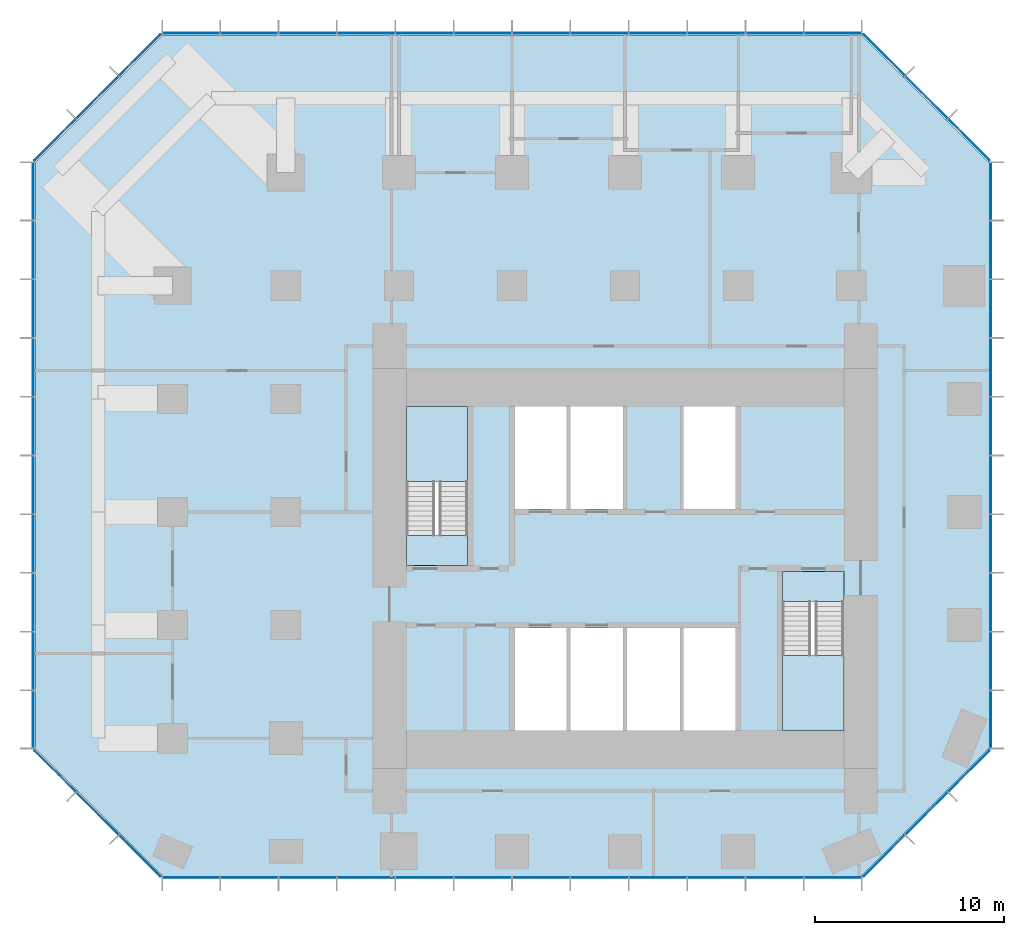
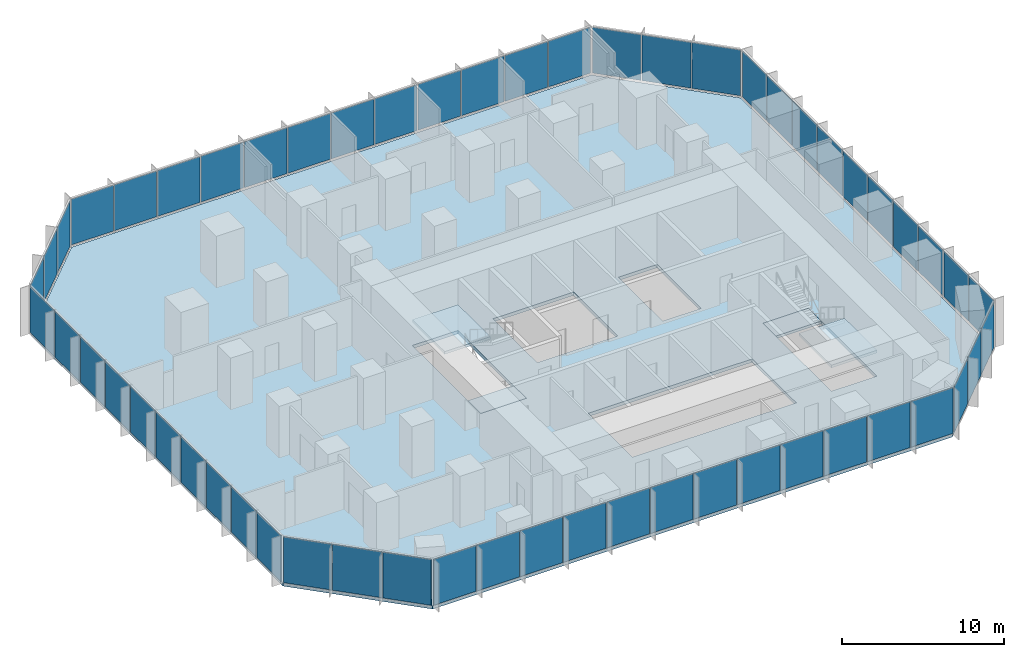
# One storey, part 7 of 11: 56 plates, 5 slabs, 10 elements without a shape of their own.
"""IFC4 building model written with IfcOpenShell, lengths in metres."""

from ifc_helpers import new_model, si_unit, direction, frame, origin, origin_2d, place, context, subcontext, project, spatial, polyline, rectangle, outline, extrude, material, layer, layer_set, type_object, element, aggregate, save


model = new_model("IFC4")

# Units and contexts
model_context = context("Model", 3, precision=1e-05, world=origin(), true_north=direction((0.0, 1.0)))
body_context = subcontext(model_context, "Body", "Model", "MODEL_VIEW")
ifc_project = project(units=[si_unit("LENGTHUNIT", "METRE"), si_unit("AREAUNIT", "SQUARE_METRE"), si_unit("VOLUMEUNIT", "CUBIC_METRE"), si_unit("PLANEANGLEUNIT", "RADIAN"), si_unit("MASSUNIT", "GRAM", prefix="KILO")], contexts=[model_context])

# Site, building, storey
site_placement = place(None, origin())
site = spatial("IfcSite", under=ifc_project, at=site_placement, CompositionType="ELEMENT")
building_placement = place(site_placement, origin())
building = spatial("IfcBuilding", under=site, at=building_placement, Name="Highveld Stack Headquarters", CompositionType="ELEMENT")
storey_placement = place(building_placement, frame((0.0, 0.0, 93.800048828125)))
storey = spatial("IfcBuildingStorey", under=building, at=storey_placement, Name="L22", CompositionType="ELEMENT", Elevation=93.800048828125)

# Curtain wall, plates
ifc_material_1 = material(Name="Aluminium bronze anodised", Category="aluminium")
ifc_layer_1 = layer(ifc_material_1, 0.199951171875)
ifc_layer_set_1 = layer_set([ifc_layer_1], Name="Aluminium bronze anodised")
curtain_wall_type = type_object("IfcCurtainWallType", Name="CW6 SKY LOBBY UNITISED CURTAIN WALL", PredefinedType="NOTDEFINED", material=ifc_layer_set_1)
curtain_wall_1_placement = place(storey_placement, origin())
curtain_wall_1 = element("IfcCurtainWall", 1, at=curtain_wall_1_placement, inside=storey, type_object=curtain_wall_type, Name="Curtain wall CW6 L22 S", PredefinedType="NOTDEFINED")
ifc_material_2 = material(Name="Glass clear low-iron double glazed unit", Category="glass")
ifc_layer_2 = layer(ifc_material_2, 0.031982421875)
ifc_layer_set_2 = layer_set([ifc_layer_2], Name="Glass clear low-iron double glazed unit")
plate_type = type_object("IfcPlateType", Name="CW6 PANEL CLEAR LOW-IRON DOUBLE GLAZED UNIT", PredefinedType="CURTAIN_PANEL", material=ifc_layer_set_2)
plate_1_placement = place(storey_placement, frame((-17.015380859375, -13.39990234375, 0.10009765625), z_axis=(0.0, 0.0, 1.0), x_axis=(1.0, 0.0, 0.0)))
plate_1 = element("IfcPlate", 2, at=plate_1_placement, type_object=plate_type, Name="CW6 panel L22 1.1", PredefinedType="CURTAIN_PANEL", context=body_context, shape_type="SweptSolid", body=[
    extrude(rectangle(XDim=2.9990234375, YDim=0.031982421875, at=origin_2d()), origin(), (0.0, 0.0, 1.0), 3.449951171875),
])
plate_2_placement = place(storey_placement, frame((-13.934814453125, -13.39990234375, 0.10009765625), z_axis=(0.0, 0.0, 1.0), x_axis=(1.0, 0.0, 0.0)))
plate_2 = element("IfcPlate", 3, at=plate_2_placement, type_object=plate_type, Name="CW6 panel L22 2.1", PredefinedType="CURTAIN_PANEL", context=body_context, shape_type="SweptSolid", body=[
    extrude(rectangle(XDim=3.031494140625, YDim=0.031982421875, at=origin_2d()), origin(), (0.0, 0.0, 1.0), 3.449951171875),
])
plate_3_placement = place(storey_placement, frame((-10.83837890625, -13.39990234375, 0.10009765625), z_axis=(0.0, 0.0, 1.0), x_axis=(1.0, 0.0, 0.0)))
plate_3 = element("IfcPlate", 4, at=plate_3_placement, type_object=plate_type, Name="CW6 panel L22 3.1", PredefinedType="CURTAIN_PANEL", context=body_context, shape_type="SweptSolid", body=[
    extrude(rectangle(XDim=3.031494140625, YDim=0.031982421875, at=origin_2d()), origin(), (0.0, 0.0, 1.0), 3.449951171875),
])
plate_4_placement = place(storey_placement, frame((-7.74169921875, -13.39990234375, 0.10009765625), z_axis=(0.0, 0.0, 1.0), x_axis=(1.0, 0.0, 0.0)))
plate_4 = element("IfcPlate", 5, at=plate_4_placement, type_object=plate_type, Name="CW6 panel L22 4.1", PredefinedType="CURTAIN_PANEL", context=body_context, shape_type="SweptSolid", body=[
    extrude(rectangle(XDim=3.031494140625, YDim=0.031982421875, at=origin_2d()), origin(), (0.0, 0.0, 1.0), 3.449951171875),
])
plate_5_placement = place(storey_placement, frame((-4.64501953125, -13.39990234375, 0.10009765625), z_axis=(0.0, 0.0, 1.0), x_axis=(1.0, 0.0, 0.0)))
plate_5 = element("IfcPlate", 6, at=plate_5_placement, type_object=plate_type, Name="CW6 panel L22 5.1", PredefinedType="CURTAIN_PANEL", context=body_context, shape_type="SweptSolid", body=[
    extrude(rectangle(XDim=3.031494140625, YDim=0.031982421875, at=origin_2d()), origin(), (0.0, 0.0, 1.0), 3.449951171875),
])
plate_6_placement = place(storey_placement, frame((-1.54833984375, -13.39990234375, 0.10009765625), z_axis=(0.0, 0.0, 1.0), x_axis=(1.0, 0.0, 0.0)))
plate_6 = element("IfcPlate", 7, at=plate_6_placement, type_object=plate_type, Name="CW6 panel L22 6.1", PredefinedType="CURTAIN_PANEL", context=body_context, shape_type="SweptSolid", body=[
    extrude(rectangle(XDim=3.031494140625, YDim=0.031982421875, at=origin_2d()), origin(), (0.0, 0.0, 1.0), 3.449951171875),
])
plate_7_placement = place(storey_placement, frame((1.54833984375, -13.39990234375, 0.10009765625), z_axis=(0.0, 0.0, 1.0), x_axis=(1.0, 0.0, 0.0)))
plate_7 = element("IfcPlate", 8, at=plate_7_placement, type_object=plate_type, Name="CW6 panel L22 7.1", PredefinedType="CURTAIN_PANEL", context=body_context, shape_type="SweptSolid", body=[
    extrude(rectangle(XDim=3.03173828125, YDim=0.031982421875, at=origin_2d()), origin(), (0.0, 0.0, 1.0), 3.449951171875),
])
plate_8_placement = place(storey_placement, frame((4.64501953125, -13.39990234375, 0.10009765625), z_axis=(0.0, 0.0, 1.0), x_axis=(1.0, 0.0, 0.0)))
plate_8 = element("IfcPlate", 9, at=plate_8_placement, type_object=plate_type, Name="CW6 panel L22 8.1", PredefinedType="CURTAIN_PANEL", context=body_context, shape_type="SweptSolid", body=[
    extrude(rectangle(XDim=3.03173828125, YDim=0.031982421875, at=origin_2d()), origin(), (0.0, 0.0, 1.0), 3.449951171875),
])
plate_9_placement = place(storey_placement, frame((7.74169921875, -13.39990234375, 0.10009765625), z_axis=(0.0, 0.0, 1.0), x_axis=(1.0, 0.0, 0.0)))
plate_9 = element("IfcPlate", 10, at=plate_9_placement, type_object=plate_type, Name="CW6 panel L22 9.1", PredefinedType="CURTAIN_PANEL", context=body_context, shape_type="SweptSolid", body=[
    extrude(rectangle(XDim=3.03173828125, YDim=0.031982421875, at=origin_2d()), origin(), (0.0, 0.0, 1.0), 3.449951171875),
])
plate_10_placement = place(storey_placement, frame((10.83837890625, -13.39990234375, 0.10009765625), z_axis=(0.0, 0.0, 1.0), x_axis=(1.0, 0.0, 0.0)))
plate_10 = element("IfcPlate", 11, at=plate_10_placement, type_object=plate_type, Name="CW6 panel L22 10.1", PredefinedType="CURTAIN_PANEL", context=body_context, shape_type="SweptSolid", body=[
    extrude(rectangle(XDim=3.03173828125, YDim=0.031982421875, at=origin_2d()), origin(), (0.0, 0.0, 1.0), 3.449951171875),
])
plate_11_placement = place(storey_placement, frame((13.934814453125, -13.39990234375, 0.10009765625), z_axis=(0.0, 0.0, 1.0), x_axis=(1.0, 0.0, 0.0)))
plate_11 = element("IfcPlate", 12, at=plate_11_placement, type_object=plate_type, Name="CW6 panel L22 11.1", PredefinedType="CURTAIN_PANEL", context=body_context, shape_type="SweptSolid", body=[
    extrude(rectangle(XDim=3.03173828125, YDim=0.031982421875, at=origin_2d()), origin(), (0.0, 0.0, 1.0), 3.449951171875),
])
plate_12_placement = place(storey_placement, frame((17.015380859375, -13.39990234375, 0.10009765625), z_axis=(0.0, 0.0, 1.0), x_axis=(1.0, 0.0, 0.0)))
plate_12 = element("IfcPlate", 13, at=plate_12_placement, type_object=plate_type, Name="CW6 panel L22 12.1", PredefinedType="CURTAIN_PANEL", context=body_context, shape_type="SweptSolid", body=[
    extrude(rectangle(XDim=2.999267578125, YDim=0.031982421875, at=origin_2d()), origin(), (0.0, 0.0, 1.0), 3.449951171875),
])
aggregate(curtain_wall_1, [plate_1, plate_2, plate_3, plate_4, plate_5, plate_6, plate_7, plate_8, plate_9, plate_10, plate_11, plate_12])

curtain_wall_2_placement = place(storey_placement, origin())
curtain_wall_2 = element("IfcCurtainWall", 14, at=curtain_wall_2_placement, inside=storey, type_object=curtain_wall_type, Name="Curtain wall CW6 L22 SE", PredefinedType="NOTDEFINED")
plate_13_placement = place(storey_placement, frame((19.740478515625, -12.239501953125, 0.10009765625), z_axis=(0.0, 0.0, 1.0), x_axis=(0.707106781187, 0.707106781187, 0.0)))
plate_13 = element("IfcPlate", 15, at=plate_13_placement, type_object=plate_type, Name="CW6 panel L22 1.1", PredefinedType="CURTAIN_PANEL", context=body_context, shape_type="SweptSolid", body=[
    extrude(rectangle(XDim=3.08251953125, YDim=0.031982421875, at=origin_2d()), origin(), (0.0, 0.0, 1.0), 3.449951171875),
])
plate_14_placement = place(storey_placement, frame((21.989990234375, -9.989990234375, 0.10009765625), z_axis=(0.0, 0.0, 1.0), x_axis=(0.707106781187, 0.707106781187, 0.0)))
plate_14 = element("IfcPlate", 16, at=plate_14_placement, type_object=plate_type, Name="CW6 panel L22 2.1", PredefinedType="CURTAIN_PANEL", context=body_context, shape_type="SweptSolid", body=[
    extrude(rectangle(XDim=3.14990234375, YDim=0.031982421875, at=origin_2d()), origin(), (0.0, 0.0, 1.0), 3.449951171875),
])
plate_15_placement = place(storey_placement, frame((24.239501953125, -7.740478515625, 0.10009765625), z_axis=(0.0, 0.0, 1.0), x_axis=(0.707106781187, 0.707106781187, 0.0)))
plate_15 = element("IfcPlate", 17, at=plate_15_placement, type_object=plate_type, Name="CW6 panel L22 3.1", PredefinedType="CURTAIN_PANEL", context=body_context, shape_type="SweptSolid", body=[
    extrude(rectangle(XDim=3.08251953125, YDim=0.031982421875, at=origin_2d()), origin(), (0.0, 0.0, 1.0), 3.449951171875),
])
aggregate(curtain_wall_2, [plate_13, plate_14, plate_15])

curtain_wall_3_placement = place(storey_placement, origin())
curtain_wall_3 = element("IfcCurtainWall", 18, at=curtain_wall_3_placement, inside=storey, type_object=curtain_wall_type, Name="Curtain wall CW6 L22 E", PredefinedType="NOTDEFINED")
plate_16_placement = place(storey_placement, frame((25.39990234375, -5.005615234375, 0.10009765625), z_axis=(0.0, 0.0, 1.0), x_axis=(0.0, 1.0, 0.0)))
plate_16 = element("IfcPlate", 19, at=plate_16_placement, type_object=plate_type, Name="CW6 panel L22 1.1", PredefinedType="CURTAIN_PANEL", context=body_context, shape_type="SweptSolid", body=[
    extrude(rectangle(XDim=3.0185546875, YDim=0.031982421875, at=origin_2d()), origin(), (0.0, 0.0, 1.0), 3.449951171875),
])
plate_17_placement = place(storey_placement, frame((25.39990234375, -1.906005859375, 0.10009765625), z_axis=(0.0, 0.0, 1.0), x_axis=(0.0, 1.0, 0.0)))
plate_17 = element("IfcPlate", 20, at=plate_17_placement, type_object=plate_type, Name="CW6 panel L22 2.1", PredefinedType="CURTAIN_PANEL", context=body_context, shape_type="SweptSolid", body=[
    extrude(rectangle(XDim=3.051025390625, YDim=0.031982421875, at=origin_2d()), origin(), (0.0, 0.0, 1.0), 3.449951171875),
])
plate_18_placement = place(storey_placement, frame((25.39990234375, 1.2099609375, 0.10009765625), z_axis=(0.0, 0.0, 1.0), x_axis=(0.0, 1.0, 0.0)))
plate_18 = element("IfcPlate", 21, at=plate_18_placement, type_object=plate_type, Name="CW6 panel L22 3.1", PredefinedType="CURTAIN_PANEL", context=body_context, shape_type="SweptSolid", body=[
    extrude(rectangle(XDim=3.051025390625, YDim=0.031982421875, at=origin_2d()), origin(), (0.0, 0.0, 1.0), 3.449951171875),
])
plate_19_placement = place(storey_placement, frame((25.39990234375, 4.325927734375, 0.10009765625), z_axis=(0.0, 0.0, 1.0), x_axis=(0.0, 1.0, 0.0)))
plate_19 = element("IfcPlate", 22, at=plate_19_placement, type_object=plate_type, Name="CW6 panel L22 4.1", PredefinedType="CURTAIN_PANEL", context=body_context, shape_type="SweptSolid", body=[
    extrude(rectangle(XDim=3.051025390625, YDim=0.031982421875, at=origin_2d()), origin(), (0.0, 0.0, 1.0), 3.449951171875),
])
plate_20_placement = place(storey_placement, frame((25.39990234375, 7.44189453125, 0.10009765625), z_axis=(0.0, 0.0, 1.0), x_axis=(0.0, 1.0, 0.0)))
plate_20 = element("IfcPlate", 23, at=plate_20_placement, type_object=plate_type, Name="CW6 panel L22 5.1", PredefinedType="CURTAIN_PANEL", context=body_context, shape_type="SweptSolid", body=[
    extrude(rectangle(XDim=3.051025390625, YDim=0.031982421875, at=origin_2d()), origin(), (0.0, 0.0, 1.0), 3.449951171875),
])
plate_21_placement = place(storey_placement, frame((25.39990234375, 10.55810546875, 0.10009765625), z_axis=(0.0, 0.0, 1.0), x_axis=(0.0, 1.0, 0.0)))
plate_21 = element("IfcPlate", 24, at=plate_21_placement, type_object=plate_type, Name="CW6 panel L22 6.1", PredefinedType="CURTAIN_PANEL", context=body_context, shape_type="SweptSolid", body=[
    extrude(rectangle(XDim=3.051025390625, YDim=0.031982421875, at=origin_2d()), origin(), (0.0, 0.0, 1.0), 3.449951171875),
])
plate_22_placement = place(storey_placement, frame((25.39990234375, 13.674072265625, 0.10009765625), z_axis=(0.0, 0.0, 1.0), x_axis=(0.0, 1.0, 0.0)))
plate_22 = element("IfcPlate", 25, at=plate_22_placement, type_object=plate_type, Name="CW6 panel L22 7.1", PredefinedType="CURTAIN_PANEL", context=body_context, shape_type="SweptSolid", body=[
    extrude(rectangle(XDim=3.051025390625, YDim=0.031982421875, at=origin_2d()), origin(), (0.0, 0.0, 1.0), 3.449951171875),
])
plate_23_placement = place(storey_placement, frame((25.39990234375, 16.789794921875, 0.10009765625), z_axis=(0.0, 0.0, 1.0), x_axis=(0.0, 1.0, 0.0)))
plate_23 = element("IfcPlate", 26, at=plate_23_placement, type_object=plate_type, Name="CW6 panel L22 8.1", PredefinedType="CURTAIN_PANEL", context=body_context, shape_type="SweptSolid", body=[
    extrude(rectangle(XDim=3.051025390625, YDim=0.031982421875, at=origin_2d()), origin(), (0.0, 0.0, 1.0), 3.449951171875),
])
plate_24_placement = place(storey_placement, frame((25.39990234375, 19.906005859375, 0.10009765625), z_axis=(0.0, 0.0, 1.0), x_axis=(0.0, 1.0, 0.0)))
plate_24 = element("IfcPlate", 27, at=plate_24_placement, type_object=plate_type, Name="CW6 panel L22 9.1", PredefinedType="CURTAIN_PANEL", context=body_context, shape_type="SweptSolid", body=[
    extrude(rectangle(XDim=3.051025390625, YDim=0.031982421875, at=origin_2d()), origin(), (0.0, 0.0, 1.0), 3.449951171875),
])
plate_25_placement = place(storey_placement, frame((25.39990234375, 23.005615234375, 0.10009765625), z_axis=(0.0, 0.0, 1.0), x_axis=(0.0, 1.0, 0.0)))
plate_25 = element("IfcPlate", 28, at=plate_25_placement, type_object=plate_type, Name="CW6 panel L22 10.1", PredefinedType="CURTAIN_PANEL", context=body_context, shape_type="SweptSolid", body=[
    extrude(rectangle(XDim=3.0185546875, YDim=0.031982421875, at=origin_2d()), origin(), (0.0, 0.0, 1.0), 3.449951171875),
])
aggregate(curtain_wall_3, [plate_16, plate_17, plate_18, plate_19, plate_20, plate_21, plate_22, plate_23, plate_24, plate_25])

curtain_wall_4_placement = place(storey_placement, origin())
curtain_wall_4 = element("IfcCurtainWall", 29, at=curtain_wall_4_placement, inside=storey, type_object=curtain_wall_type, Name="Curtain wall CW6 L22 NE", PredefinedType="NOTDEFINED")
plate_26_placement = place(storey_placement, frame((24.239501953125, 25.740478515625, 0.10009765625), z_axis=(0.0, 0.0, 1.0), x_axis=(-0.707106781187, 0.707106781187, 0.0)))
plate_26 = element("IfcPlate", 30, at=plate_26_placement, type_object=plate_type, Name="CW6 panel L22 1.1", PredefinedType="CURTAIN_PANEL", context=body_context, shape_type="SweptSolid", body=[
    extrude(rectangle(XDim=3.08251953125, YDim=0.031982421875, at=origin_2d()), origin(), (0.0, 0.0, 1.0), 3.449951171875),
])
plate_27_placement = place(storey_placement, frame((21.989990234375, 27.989990234375, 0.10009765625), z_axis=(0.0, 0.0, 1.0), x_axis=(-0.707106781187, 0.707106781187, 0.0)))
plate_27 = element("IfcPlate", 31, at=plate_27_placement, type_object=plate_type, Name="CW6 panel L22 2.1", PredefinedType="CURTAIN_PANEL", context=body_context, shape_type="SweptSolid", body=[
    extrude(rectangle(XDim=3.14990234375, YDim=0.031982421875, at=origin_2d()), origin(), (0.0, 0.0, 1.0), 3.449951171875),
])
plate_28_placement = place(storey_placement, frame((19.740478515625, 30.239501953125, 0.10009765625), z_axis=(0.0, 0.0, 1.0), x_axis=(-0.707106781187, 0.707106781187, 0.0)))
plate_28 = element("IfcPlate", 32, at=plate_28_placement, type_object=plate_type, Name="CW6 panel L22 3.1", PredefinedType="CURTAIN_PANEL", context=body_context, shape_type="SweptSolid", body=[
    extrude(rectangle(XDim=3.08251953125, YDim=0.031982421875, at=origin_2d()), origin(), (0.0, 0.0, 1.0), 3.449951171875),
])
aggregate(curtain_wall_4, [plate_26, plate_27, plate_28])

curtain_wall_5_placement = place(storey_placement, origin())
curtain_wall_5 = element("IfcCurtainWall", 33, at=curtain_wall_5_placement, inside=storey, type_object=curtain_wall_type, Name="Curtain wall CW6 L22 N", PredefinedType="NOTDEFINED")
plate_29_placement = place(storey_placement, frame((17.015380859375, 31.39990234375, 0.10009765625), z_axis=(0.0, 0.0, 1.0), x_axis=(-1.0, 0.0, 0.0)))
plate_29 = element("IfcPlate", 34, at=plate_29_placement, type_object=plate_type, Name="CW6 panel L22 1.1", PredefinedType="CURTAIN_PANEL", context=body_context, shape_type="SweptSolid", body=[
    extrude(rectangle(XDim=2.9990234375, YDim=0.031982421875, at=origin_2d()), origin(), (0.0, 0.0, 1.0), 3.449951171875),
])
plate_30_placement = place(storey_placement, frame((13.934814453125, 31.39990234375, 0.10009765625), z_axis=(0.0, 0.0, 1.0), x_axis=(-1.0, 0.0, 0.0)))
plate_30 = element("IfcPlate", 35, at=plate_30_placement, type_object=plate_type, Name="CW6 panel L22 2.1", PredefinedType="CURTAIN_PANEL", context=body_context, shape_type="SweptSolid", body=[
    extrude(rectangle(XDim=3.031494140625, YDim=0.031982421875, at=origin_2d()), origin(), (0.0, 0.0, 1.0), 3.449951171875),
])
plate_31_placement = place(storey_placement, frame((10.83837890625, 31.39990234375, 0.10009765625), z_axis=(0.0, 0.0, 1.0), x_axis=(-1.0, 0.0, 0.0)))
plate_31 = element("IfcPlate", 36, at=plate_31_placement, type_object=plate_type, Name="CW6 panel L22 3.1", PredefinedType="CURTAIN_PANEL", context=body_context, shape_type="SweptSolid", body=[
    extrude(rectangle(XDim=3.031494140625, YDim=0.031982421875, at=origin_2d()), origin(), (0.0, 0.0, 1.0), 3.449951171875),
])
plate_32_placement = place(storey_placement, frame((7.74169921875, 31.39990234375, 0.10009765625), z_axis=(0.0, 0.0, 1.0), x_axis=(-1.0, 0.0, 0.0)))
plate_32 = element("IfcPlate", 37, at=plate_32_placement, type_object=plate_type, Name="CW6 panel L22 4.1", PredefinedType="CURTAIN_PANEL", context=body_context, shape_type="SweptSolid", body=[
    extrude(rectangle(XDim=3.031494140625, YDim=0.031982421875, at=origin_2d()), origin(), (0.0, 0.0, 1.0), 3.449951171875),
])
plate_33_placement = place(storey_placement, frame((4.64501953125, 31.39990234375, 0.10009765625), z_axis=(0.0, 0.0, 1.0), x_axis=(-1.0, 0.0, 0.0)))
plate_33 = element("IfcPlate", 38, at=plate_33_placement, type_object=plate_type, Name="CW6 panel L22 5.1", PredefinedType="CURTAIN_PANEL", context=body_context, shape_type="SweptSolid", body=[
    extrude(rectangle(XDim=3.031494140625, YDim=0.031982421875, at=origin_2d()), origin(), (0.0, 0.0, 1.0), 3.449951171875),
])
plate_34_placement = place(storey_placement, frame((1.54833984375, 31.39990234375, 0.10009765625), z_axis=(0.0, 0.0, 1.0), x_axis=(-1.0, 0.0, 0.0)))
plate_34 = element("IfcPlate", 39, at=plate_34_placement, type_object=plate_type, Name="CW6 panel L22 6.1", PredefinedType="CURTAIN_PANEL", context=body_context, shape_type="SweptSolid", body=[
    extrude(rectangle(XDim=3.031494140625, YDim=0.031982421875, at=origin_2d()), origin(), (0.0, 0.0, 1.0), 3.449951171875),
])
plate_35_placement = place(storey_placement, frame((-1.54833984375, 31.39990234375, 0.10009765625), z_axis=(0.0, 0.0, 1.0), x_axis=(-1.0, 0.0, 0.0)))
plate_35 = element("IfcPlate", 40, at=plate_35_placement, type_object=plate_type, Name="CW6 panel L22 7.1", PredefinedType="CURTAIN_PANEL", context=body_context, shape_type="SweptSolid", body=[
    extrude(rectangle(XDim=3.03173828125, YDim=0.031982421875, at=origin_2d()), origin(), (0.0, 0.0, 1.0), 3.449951171875),
])
plate_36_placement = place(storey_placement, frame((-4.64501953125, 31.39990234375, 0.10009765625), z_axis=(0.0, 0.0, 1.0), x_axis=(-1.0, 0.0, 0.0)))
plate_36 = element("IfcPlate", 41, at=plate_36_placement, type_object=plate_type, Name="CW6 panel L22 8.1", PredefinedType="CURTAIN_PANEL", context=body_context, shape_type="SweptSolid", body=[
    extrude(rectangle(XDim=3.03173828125, YDim=0.031982421875, at=origin_2d()), origin(), (0.0, 0.0, 1.0), 3.449951171875),
])
plate_37_placement = place(storey_placement, frame((-7.74169921875, 31.39990234375, 0.10009765625), z_axis=(0.0, 0.0, 1.0), x_axis=(-1.0, 0.0, 0.0)))
plate_37 = element("IfcPlate", 42, at=plate_37_placement, type_object=plate_type, Name="CW6 panel L22 9.1", PredefinedType="CURTAIN_PANEL", context=body_context, shape_type="SweptSolid", body=[
    extrude(rectangle(XDim=3.03173828125, YDim=0.031982421875, at=origin_2d()), origin(), (0.0, 0.0, 1.0), 3.449951171875),
])
plate_38_placement = place(storey_placement, frame((-10.83837890625, 31.39990234375, 0.10009765625), z_axis=(0.0, 0.0, 1.0), x_axis=(-1.0, 0.0, 0.0)))
plate_38 = element("IfcPlate", 43, at=plate_38_placement, type_object=plate_type, Name="CW6 panel L22 10.1", PredefinedType="CURTAIN_PANEL", context=body_context, shape_type="SweptSolid", body=[
    extrude(rectangle(XDim=3.03173828125, YDim=0.031982421875, at=origin_2d()), origin(), (0.0, 0.0, 1.0), 3.449951171875),
])
plate_39_placement = place(storey_placement, frame((-13.934814453125, 31.39990234375, 0.10009765625), z_axis=(0.0, 0.0, 1.0), x_axis=(-1.0, 0.0, 0.0)))
plate_39 = element("IfcPlate", 44, at=plate_39_placement, type_object=plate_type, Name="CW6 panel L22 11.1", PredefinedType="CURTAIN_PANEL", context=body_context, shape_type="SweptSolid", body=[
    extrude(rectangle(XDim=3.03173828125, YDim=0.031982421875, at=origin_2d()), origin(), (0.0, 0.0, 1.0), 3.449951171875),
])
plate_40_placement = place(storey_placement, frame((-17.015380859375, 31.39990234375, 0.10009765625), z_axis=(0.0, 0.0, 1.0), x_axis=(-1.0, 0.0, 0.0)))
plate_40 = element("IfcPlate", 45, at=plate_40_placement, type_object=plate_type, Name="CW6 panel L22 12.1", PredefinedType="CURTAIN_PANEL", context=body_context, shape_type="SweptSolid", body=[
    extrude(rectangle(XDim=2.999267578125, YDim=0.031982421875, at=origin_2d()), origin(), (0.0, 0.0, 1.0), 3.449951171875),
])
aggregate(curtain_wall_5, [plate_29, plate_30, plate_31, plate_32, plate_33, plate_34, plate_35, plate_36, plate_37, plate_38, plate_39, plate_40])

curtain_wall_6_placement = place(storey_placement, origin())
curtain_wall_6 = element("IfcCurtainWall", 46, at=curtain_wall_6_placement, inside=storey, type_object=curtain_wall_type, Name="Curtain wall CW6 L22 NW", PredefinedType="NOTDEFINED")
plate_41_placement = place(storey_placement, frame((-19.740478515625, 30.239501953125, 0.10009765625), z_axis=(0.0, 0.0, 1.0), x_axis=(-0.707106781187, -0.707106781187, 0.0)))
plate_41 = element("IfcPlate", 47, at=plate_41_placement, type_object=plate_type, Name="CW6 panel L22 1.1", PredefinedType="CURTAIN_PANEL", context=body_context, shape_type="SweptSolid", body=[
    extrude(rectangle(XDim=3.08251953125, YDim=0.031982421875, at=origin_2d()), origin(), (0.0, 0.0, 1.0), 3.449951171875),
])
plate_42_placement = place(storey_placement, frame((-21.989990234375, 27.989990234375, 0.10009765625), z_axis=(0.0, 0.0, 1.0), x_axis=(-0.707106781187, -0.707106781187, 0.0)))
plate_42 = element("IfcPlate", 48, at=plate_42_placement, type_object=plate_type, Name="CW6 panel L22 2.1", PredefinedType="CURTAIN_PANEL", context=body_context, shape_type="SweptSolid", body=[
    extrude(rectangle(XDim=3.14990234375, YDim=0.031982421875, at=origin_2d()), origin(), (0.0, 0.0, 1.0), 3.449951171875),
])
plate_43_placement = place(storey_placement, frame((-24.239501953125, 25.740478515625, 0.10009765625), z_axis=(0.0, 0.0, 1.0), x_axis=(-0.707106781187, -0.707106781187, 0.0)))
plate_43 = element("IfcPlate", 49, at=plate_43_placement, type_object=plate_type, Name="CW6 panel L22 3.1", PredefinedType="CURTAIN_PANEL", context=body_context, shape_type="SweptSolid", body=[
    extrude(rectangle(XDim=3.08251953125, YDim=0.031982421875, at=origin_2d()), origin(), (0.0, 0.0, 1.0), 3.449951171875),
])
aggregate(curtain_wall_6, [plate_41, plate_42, plate_43])

curtain_wall_7_placement = place(storey_placement, origin())
curtain_wall_7 = element("IfcCurtainWall", 50, at=curtain_wall_7_placement, inside=storey, type_object=curtain_wall_type, Name="Curtain wall CW6 L22 W", PredefinedType="NOTDEFINED")
plate_44_placement = place(storey_placement, frame((-25.39990234375, 23.005615234375, 0.10009765625), z_axis=(0.0, 0.0, 1.0), x_axis=(0.0, -1.0, 0.0)))
plate_44 = element("IfcPlate", 51, at=plate_44_placement, type_object=plate_type, Name="CW6 panel L22 1.1", PredefinedType="CURTAIN_PANEL", context=body_context, shape_type="SweptSolid", body=[
    extrude(rectangle(XDim=3.0185546875, YDim=0.031982421875, at=origin_2d()), origin(), (0.0, 0.0, 1.0), 3.449951171875),
])
plate_45_placement = place(storey_placement, frame((-25.39990234375, 19.906005859375, 0.10009765625), z_axis=(0.0, 0.0, 1.0), x_axis=(0.0, -1.0, 0.0)))
plate_45 = element("IfcPlate", 52, at=plate_45_placement, type_object=plate_type, Name="CW6 panel L22 2.1", PredefinedType="CURTAIN_PANEL", context=body_context, shape_type="SweptSolid", body=[
    extrude(rectangle(XDim=3.051025390625, YDim=0.031982421875, at=origin_2d()), origin(), (0.0, 0.0, 1.0), 3.449951171875),
])
plate_46_placement = place(storey_placement, frame((-25.39990234375, 16.7900390625, 0.10009765625), z_axis=(0.0, 0.0, 1.0), x_axis=(0.0, -1.0, 0.0)))
plate_46 = element("IfcPlate", 53, at=plate_46_placement, type_object=plate_type, Name="CW6 panel L22 3.1", PredefinedType="CURTAIN_PANEL", context=body_context, shape_type="SweptSolid", body=[
    extrude(rectangle(XDim=3.051025390625, YDim=0.031982421875, at=origin_2d()), origin(), (0.0, 0.0, 1.0), 3.449951171875),
])
plate_47_placement = place(storey_placement, frame((-25.39990234375, 13.674072265625, 0.10009765625), z_axis=(0.0, 0.0, 1.0), x_axis=(0.0, -1.0, 0.0)))
plate_47 = element("IfcPlate", 54, at=plate_47_placement, type_object=plate_type, Name="CW6 panel L22 4.1", PredefinedType="CURTAIN_PANEL", context=body_context, shape_type="SweptSolid", body=[
    extrude(rectangle(XDim=3.051025390625, YDim=0.031982421875, at=origin_2d()), origin(), (0.0, 0.0, 1.0), 3.449951171875),
])
plate_48_placement = place(storey_placement, frame((-25.39990234375, 10.55810546875, 0.10009765625), z_axis=(0.0, 0.0, 1.0), x_axis=(0.0, -1.0, 0.0)))
plate_48 = element("IfcPlate", 55, at=plate_48_placement, type_object=plate_type, Name="CW6 panel L22 5.1", PredefinedType="CURTAIN_PANEL", context=body_context, shape_type="SweptSolid", body=[
    extrude(rectangle(XDim=3.051025390625, YDim=0.031982421875, at=origin_2d()), origin(), (0.0, 0.0, 1.0), 3.449951171875),
])
plate_49_placement = place(storey_placement, frame((-25.39990234375, 7.44189453125, 0.10009765625), z_axis=(0.0, 0.0, 1.0), x_axis=(0.0, -1.0, 0.0)))
plate_49 = element("IfcPlate", 56, at=plate_49_placement, type_object=plate_type, Name="CW6 panel L22 6.1", PredefinedType="CURTAIN_PANEL", context=body_context, shape_type="SweptSolid", body=[
    extrude(rectangle(XDim=3.051025390625, YDim=0.031982421875, at=origin_2d()), origin(), (0.0, 0.0, 1.0), 3.449951171875),
])
plate_50_placement = place(storey_placement, frame((-25.39990234375, 4.325927734375, 0.10009765625), z_axis=(0.0, 0.0, 1.0), x_axis=(0.0, -1.0, 0.0)))
plate_50 = element("IfcPlate", 57, at=plate_50_placement, type_object=plate_type, Name="CW6 panel L22 7.1", PredefinedType="CURTAIN_PANEL", context=body_context, shape_type="SweptSolid", body=[
    extrude(rectangle(XDim=3.051025390625, YDim=0.031982421875, at=origin_2d()), origin(), (0.0, 0.0, 1.0), 3.449951171875),
])
plate_51_placement = place(storey_placement, frame((-25.39990234375, 1.210205078125, 0.10009765625), z_axis=(0.0, 0.0, 1.0), x_axis=(0.0, -1.0, 0.0)))
plate_51 = element("IfcPlate", 58, at=plate_51_placement, type_object=plate_type, Name="CW6 panel L22 8.1", PredefinedType="CURTAIN_PANEL", context=body_context, shape_type="SweptSolid", body=[
    extrude(rectangle(XDim=3.051025390625, YDim=0.031982421875, at=origin_2d()), origin(), (0.0, 0.0, 1.0), 3.449951171875),
])
plate_52_placement = place(storey_placement, frame((-25.39990234375, -1.906005859375, 0.10009765625), z_axis=(0.0, 0.0, 1.0), x_axis=(0.0, -1.0, 0.0)))
plate_52 = element("IfcPlate", 59, at=plate_52_placement, type_object=plate_type, Name="CW6 panel L22 9.1", PredefinedType="CURTAIN_PANEL", context=body_context, shape_type="SweptSolid", body=[
    extrude(rectangle(XDim=3.051025390625, YDim=0.031982421875, at=origin_2d()), origin(), (0.0, 0.0, 1.0), 3.449951171875),
])
plate_53_placement = place(storey_placement, frame((-25.39990234375, -5.005615234375, 0.10009765625), z_axis=(0.0, 0.0, 1.0), x_axis=(0.0, -1.0, 0.0)))
plate_53 = element("IfcPlate", 60, at=plate_53_placement, type_object=plate_type, Name="CW6 panel L22 10.1", PredefinedType="CURTAIN_PANEL", context=body_context, shape_type="SweptSolid", body=[
    extrude(rectangle(XDim=3.0185546875, YDim=0.031982421875, at=origin_2d()), origin(), (0.0, 0.0, 1.0), 3.449951171875),
])
aggregate(curtain_wall_7, [plate_44, plate_45, plate_46, plate_47, plate_48, plate_49, plate_50, plate_51, plate_52, plate_53])

curtain_wall_8_placement = place(storey_placement, origin())
curtain_wall_8 = element("IfcCurtainWall", 61, at=curtain_wall_8_placement, inside=storey, type_object=curtain_wall_type, Name="Curtain wall CW6 L22 SW", PredefinedType="NOTDEFINED")
plate_54_placement = place(storey_placement, frame((-24.239501953125, -7.740478515625, 0.10009765625), z_axis=(0.0, 0.0, 1.0), x_axis=(0.707106781187, -0.707106781187, 0.0)))
plate_54 = element("IfcPlate", 62, at=plate_54_placement, type_object=plate_type, Name="CW6 panel L22 1.1", PredefinedType="CURTAIN_PANEL", context=body_context, shape_type="SweptSolid", body=[
    extrude(rectangle(XDim=3.08251953125, YDim=0.031982421875, at=origin_2d()), origin(), (0.0, 0.0, 1.0), 3.449951171875),
])
plate_55_placement = place(storey_placement, frame((-21.989990234375, -9.989990234375, 0.10009765625), z_axis=(0.0, 0.0, 1.0), x_axis=(0.707106781187, -0.707106781187, 0.0)))
plate_55 = element("IfcPlate", 63, at=plate_55_placement, type_object=plate_type, Name="CW6 panel L22 2.1", PredefinedType="CURTAIN_PANEL", context=body_context, shape_type="SweptSolid", body=[
    extrude(rectangle(XDim=3.14990234375, YDim=0.031982421875, at=origin_2d()), origin(), (0.0, 0.0, 1.0), 3.449951171875),
])
plate_56_placement = place(storey_placement, frame((-19.740478515625, -12.239501953125, 0.10009765625), z_axis=(0.0, 0.0, 1.0), x_axis=(0.707106781187, -0.707106781187, 0.0)))
plate_56 = element("IfcPlate", 64, at=plate_56_placement, type_object=plate_type, Name="CW6 panel L22 3.1", PredefinedType="CURTAIN_PANEL", context=body_context, shape_type="SweptSolid", body=[
    extrude(rectangle(XDim=3.08251953125, YDim=0.031982421875, at=origin_2d()), origin(), (0.0, 0.0, 1.0), 3.449951171875),
])
aggregate(curtain_wall_8, [plate_54, plate_55, plate_56])

# Slab
ifc_material_3 = material(Name="Concrete C60/75", Category="concrete")
ifc_layer_3 = layer(ifc_material_3, 0.25)
ifc_layer_set_3 = layer_set([ifc_layer_3], Name="Concrete C60/75")
slab_type_1 = type_object("IfcSlabType", Name="PT FLAT SLAB 250", PredefinedType="FLOOR", material=ifc_layer_set_3)
slab_1_placement = place(storey_placement, frame((0.0, 0.0, -0.25)))
element("IfcSlab", 65, at=slab_1_placement, inside=storey, type_object=slab_type_1, Name="Floor slab L22", PredefinedType="FLOOR", context=body_context, shape_type="SweptSolid", body=[
    extrude(outline(polyline([(-18.53857421875, -13.300048828125), (18.53857421875, -13.300048828125), (25.300048828125, -6.53857421875), (25.300048828125, 24.53857421875), (18.53857421875, 31.300048828125), (-18.53857421875, 31.300048828125), (-25.300048828125, 24.53857421875), (-25.300048828125, -6.53857421875), (-18.53857421875, -13.300048828125)]), holes=[polyline([(0.14990234375, 6.14990234375), (5.89990234375, 6.14990234375), (5.89990234375, 11.60009765625), (0.14990234375, 11.60009765625), (0.14990234375, 6.14990234375)]), polyline([(9.10009765625, 6.14990234375), (11.85009765625, 6.14990234375), (11.85009765625, 11.60009765625), (9.10009765625, 11.60009765625), (9.10009765625, 6.14990234375)]), polyline([(0.14990234375, -5.60009765625), (11.85009765625, -5.60009765625), (11.85009765625, -0.14990234375), (0.14990234375, -0.14990234375), (0.14990234375, -5.60009765625)]), polyline([(-5.60009765625, 3.14990234375), (-2.35009765625, 3.14990234375), (-2.35009765625, 11.60009765625), (-5.60009765625, 11.60009765625), (-5.60009765625, 3.14990234375)]), polyline([(14.35009765625, -5.60009765625), (17.60009765625, -5.60009765625), (17.60009765625, 2.85009765625), (14.35009765625, 2.85009765625), (14.35009765625, -5.60009765625)])]), origin(), (0.0, 0.0, 1.0), 0.25),
])

# Stair, slabs
ifc_material_4 = material(Name="Concrete C40/50, precast", Category="concrete")
stair_type_1 = type_object("IfcStairType", Name="STAIR S1 HALF TURN 1500", PredefinedType="HALF_TURN_STAIR", material=ifc_material_4)
stair_1_placement = place(storey_placement, origin())
stair_1 = element("IfcStair", 66, at=stair_1_placement, inside=storey, type_object=stair_type_1, Name="Stair S1 L22", PredefinedType="HALF_TURN_STAIR")
ifc_material_5 = material(Name="Concrete C40/50, precast", Category="concrete")
ifc_layer_4 = layer(ifc_material_5, 0.199951171875)
ifc_layer_set_4 = layer_set([ifc_layer_4], Name="Concrete C40/50, precast")
slab_type_2 = type_object("IfcSlabType", Name="STAIR LANDING 200", PredefinedType="LANDING", material=ifc_layer_set_4)
slab_2_placement = place(storey_placement, frame((0.0, 0.0, 1.75)))
slab_2 = element("IfcSlab", 67, at=slab_2_placement, type_object=slab_type_2, Name="S1 landing 1", PredefinedType="LANDING", context=body_context, shape_type="SweptSolid", body=[
    extrude(outline(polyline([(-5.60009765625, 7.610107421875), (-2.35009765625, 7.610107421875), (-2.35009765625, 11.60009765625), (-5.60009765625, 11.60009765625), (-5.60009765625, 7.610107421875)])), origin(), (0.0, 0.0, 1.0), 0.199951171875),
])
slab_3_placement = place(storey_placement, frame((0.0, 0.0, -0.199951171875)))
slab_3 = element("IfcSlab", 68, at=slab_3_placement, type_object=slab_type_2, Name="S1 landing 2", PredefinedType="LANDING", context=body_context, shape_type="SweptSolid", body=[
    extrude(outline(polyline([(-5.60009765625, 3.14990234375), (-2.35009765625, 3.14990234375), (-2.35009765625, 4.75), (-5.60009765625, 4.75), (-5.60009765625, 3.14990234375)])), origin(), (0.0, 0.0, 1.0), 0.199951171875),
])
aggregate(stair_1, [slab_2, slab_3])

ifc_material_6 = material(Name="Concrete C40/50, precast", Category="concrete")
stair_type_2 = type_object("IfcStairType", Name="STAIR S2 HALF TURN 1500", PredefinedType="HALF_TURN_STAIR", material=ifc_material_6)
stair_2_placement = place(storey_placement, origin())
stair_2 = element("IfcStair", 69, at=stair_2_placement, inside=storey, type_object=stair_type_2, Name="Stair S2 L22", PredefinedType="HALF_TURN_STAIR")
slab_4_placement = place(storey_placement, frame((0.0, 0.0, 1.75)))
slab_4 = element("IfcSlab", 70, at=slab_4_placement, type_object=slab_type_2, Name="S2 landing 1", PredefinedType="LANDING", context=body_context, shape_type="SweptSolid", body=[
    extrude(outline(polyline([(14.35009765625, -5.60009765625), (17.60009765625, -5.60009765625), (17.60009765625, -1.610107421875), (14.35009765625, -1.610107421875), (14.35009765625, -5.60009765625)])), origin(), (0.0, 0.0, 1.0), 0.199951171875),
])
slab_5_placement = place(storey_placement, frame((0.0, 0.0, -0.199951171875)))
slab_5 = element("IfcSlab", 71, at=slab_5_placement, type_object=slab_type_2, Name="S2 landing 2", PredefinedType="LANDING", context=body_context, shape_type="SweptSolid", body=[
    extrude(outline(polyline([(14.35009765625, 1.25), (17.60009765625, 1.25), (17.60009765625, 2.85009765625), (14.35009765625, 2.85009765625), (14.35009765625, 1.25)])), origin(), (0.0, 0.0, 1.0), 0.199951171875),
])
aggregate(stair_2, [slab_4, slab_5])

save(model, "model.ifc")
